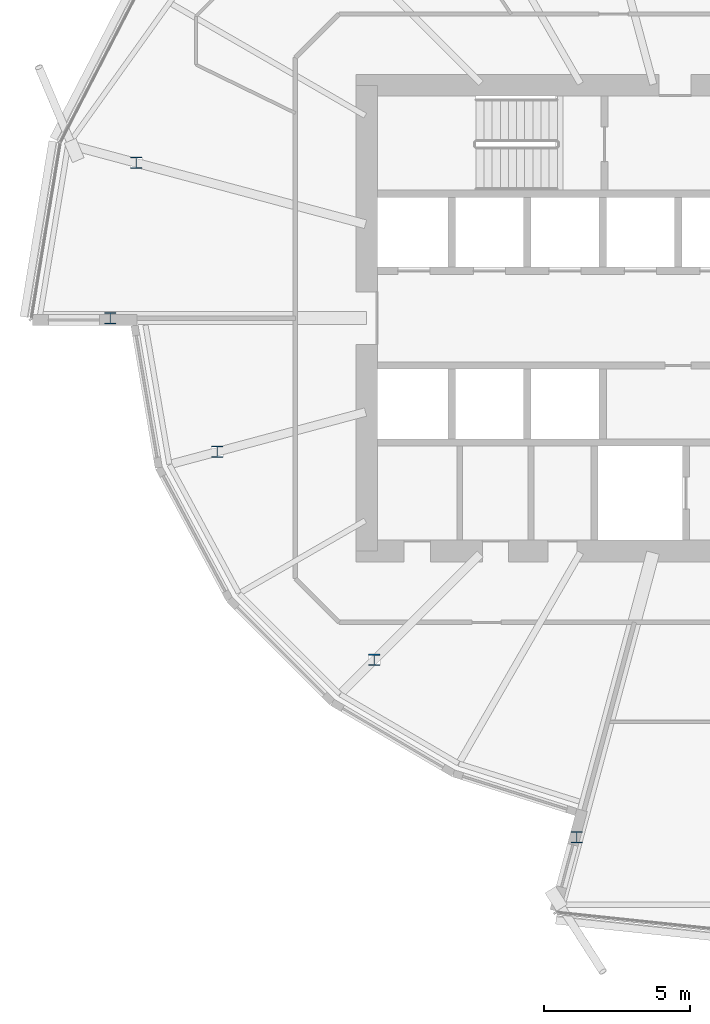
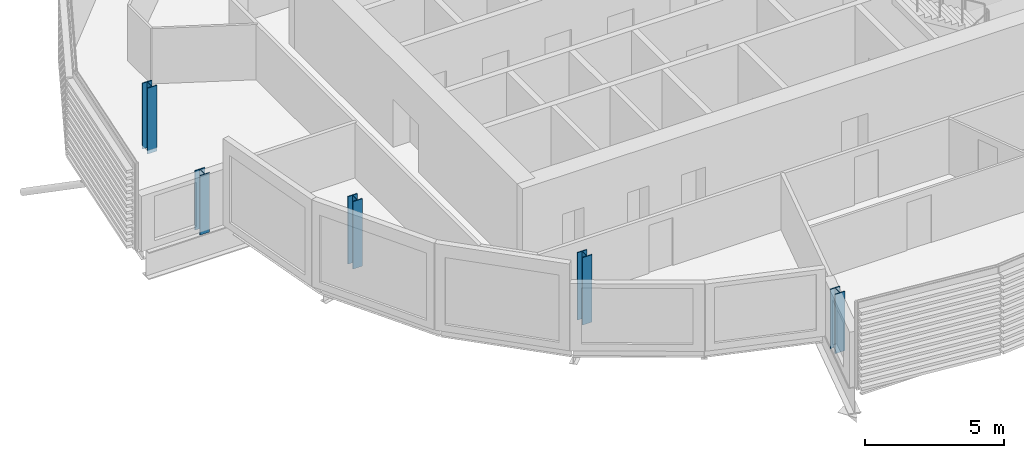
# One storey, part 1 of 39: 5 columns.
"""IFC4 building model written with IfcOpenShell, lengths in metres."""

from ifc_helpers import new_model, si_unit, direction, frame, origin, origin_2d, place, context, subcontext, project, spatial, i_section, extrude, material, material_profile, profile_set, type_object, element, save


model = new_model("IFC4")

# Units and contexts
model_context = context("Model", 3, precision=1e-05, world=origin(), true_north=direction((0.0, 1.0)))
body_context = subcontext(model_context, "Body", "Model", "MODEL_VIEW")
ifc_project = project(units=[si_unit("LENGTHUNIT", "METRE"), si_unit("AREAUNIT", "SQUARE_METRE"), si_unit("VOLUMEUNIT", "CUBIC_METRE"), si_unit("PLANEANGLEUNIT", "RADIAN"), si_unit("MASSUNIT", "GRAM", prefix="KILO")], contexts=[model_context])

# Site, building, storey
site_placement = place(None, origin())
site = spatial("IfcSite", under=ifc_project, at=site_placement, CompositionType="ELEMENT")
building_placement = place(site_placement, origin())
building = spatial("IfcBuilding", under=site, at=building_placement, Name="Rimbun Link Towers", CompositionType="ELEMENT")
storey_placement = place(building_placement, frame((0.0, 0.0, 100.60009765625)))
storey = spatial("IfcBuildingStorey", under=building, at=storey_placement, Name="L24", CompositionType="ELEMENT", Elevation=100.60009765625)

# Columns
ifc_material = material(Name="Steel S355J2", Category="steel")
ifc_material_profile = material_profile(ifc_material, i_section(OverallWidth=0.39892578125, OverallDepth=0.3935546875, WebThickness=0.022705078125, FlangeThickness=0.03662109375, at=origin_2d()), Name="UC 356x406x287")
ifc_profile_set = profile_set([ifc_material_profile], Name="Steel S355J2")
column_type = type_object("IfcColumnType", Name="UC 356x406x287", PredefinedType="COLUMN", material=ifc_profile_set)
column_1_placement = place(storey_placement, frame((-51.663330078125, 5.335693359375, -0.16015625), z_axis=(0.0, 0.0, 1.0), x_axis=(1.0, 0.0, 0.0)))
element("IfcColumn", 1, at=column_1_placement, inside=storey, type_object=column_type, Name="Crease post T1 L24 11", PredefinedType="COLUMN", context=body_context, shape_type="SweptSolid", body=[
    extrude(i_section(OverallWidth=0.39892578125, OverallDepth=0.3935546875, WebThickness=0.022705078125, FlangeThickness=0.03662109375, at=origin_2d()), origin(), (0.0, 0.0, 1.0), 2.881591796875),
])
column_2_placement = place(storey_placement, frame((-52.56298828125, 0.0, -0.16015625), z_axis=(0.0, 0.0, 1.0), x_axis=(1.0, 0.0, 0.0)))
element("IfcColumn", 2, at=column_2_placement, inside=storey, type_object=column_type, Name="Crease post T1 L24 12", PredefinedType="COLUMN", context=body_context, shape_type="SweptSolid", body=[
    extrude(i_section(OverallWidth=0.39892578125, OverallDepth=0.3935546875, WebThickness=0.022705078125, FlangeThickness=0.03662109375, at=origin_2d()), origin(), (0.0, 0.0, 1.0), 2.60009765625),
])
for number, where, z_axis, x_axis, name in (
    (3, (-48.882080078125, -4.590576171875, -0.16015625), (0.0, 0.0, 1.0), (1.0, 0.0, 0.0), "Crease post T1 L24 13"),
    (4, (-43.494384765625, -11.744384765625, -0.16015625), (0.0, 0.0, 1.0), (1.0, 0.0, 0.0), "Crease post T1 L24 15"),
):
    element("IfcColumn", number, at=place(storey_placement, frame(where, z_axis=z_axis, x_axis=x_axis)), inside=storey, type_object=column_type, Name=name, PredefinedType="COLUMN", context=body_context, shape_type="SweptSolid", body=[
        extrude(i_section(OverallWidth=0.39892578125, OverallDepth=0.3935546875, WebThickness=0.022705078125, FlangeThickness=0.03662109375, at=origin_2d()), origin(), (0.0, 0.0, 1.0), 2.95947265625),
    ])
column_3_placement = place(storey_placement, frame((-36.5283203125, -17.83251953125, -0.16015625), z_axis=(0.0, 0.0, 1.0), x_axis=(1.0, 0.0, 0.0)))
element("IfcColumn", 5, at=column_3_placement, inside=storey, type_object=column_type, Name="Crease post T1 L24 17", PredefinedType="COLUMN", context=body_context, shape_type="SweptSolid", body=[
    extrude(i_section(OverallWidth=0.39892578125, OverallDepth=0.3935546875, WebThickness=0.022705078125, FlangeThickness=0.03662109375, at=origin_2d()), origin(), (0.0, 0.0, 1.0), 2.60009765625),
])

save(model, "model.ifc")
